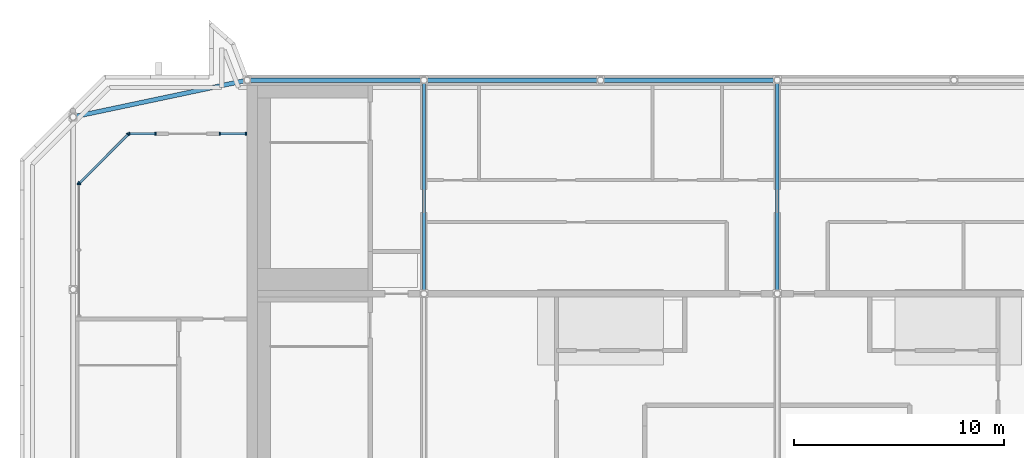
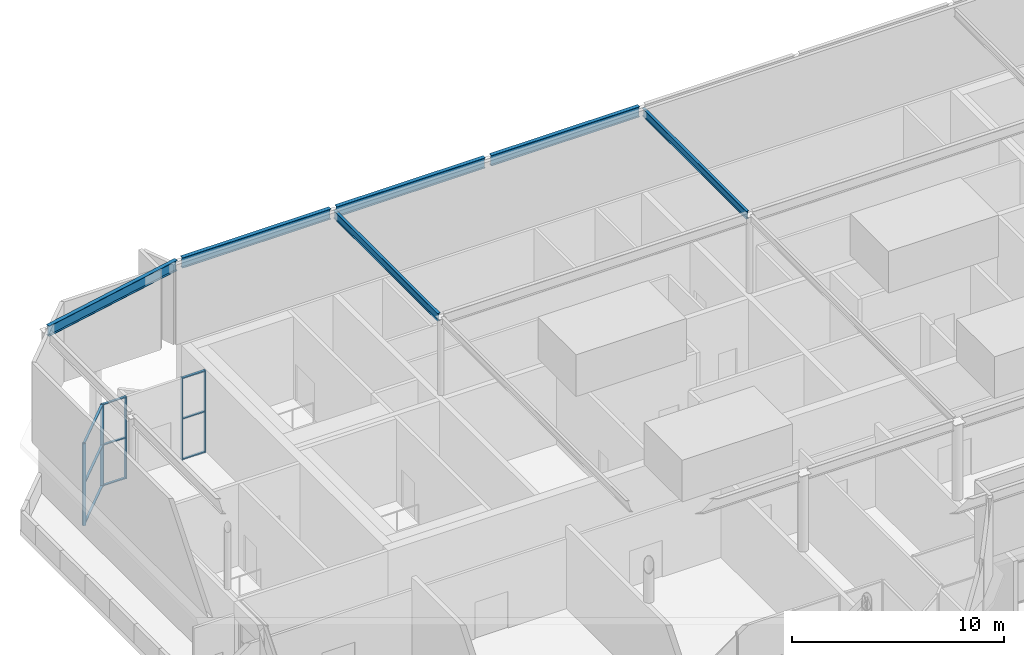
# One storey, part 12 of 25: 16 members, 6 beams, 4 elements without a shape of their own.
"""IFC4 building model written with IfcOpenShell, lengths in metres."""

from ifc_helpers import new_model, si_unit, direction, frame, origin, origin_2d, place, context, subcontext, project, spatial, rectangle, i_section, extrude, source, transform, mapped, material, material_profile, profile_set, type_object, element, aggregate, save


model = new_model("IFC4")

# Units and contexts
model_context = context("Model", 3, precision=1e-05, world=origin(), true_north=direction((0.0, 1.0)))
body_context = subcontext(model_context, "Body", "Model", "MODEL_VIEW")
ifc_project = project(units=[si_unit("LENGTHUNIT", "METRE"), si_unit("AREAUNIT", "SQUARE_METRE"), si_unit("VOLUMEUNIT", "CUBIC_METRE"), si_unit("PLANEANGLEUNIT", "RADIAN"), si_unit("MASSUNIT", "GRAM", prefix="KILO")], contexts=[model_context])

# Site, building, storey
site_placement = place(None, origin())
site = spatial("IfcSite", under=ifc_project, at=site_placement, CompositionType="ELEMENT")
building_placement = place(site_placement, origin())
building = spatial("IfcBuilding", under=site, at=building_placement, Name="Vanashikhar Sky Hotel", CompositionType="ELEMENT")
storey_placement = place(building_placement, frame((0.0, 0.0, 329.699951171875)))
storey = spatial("IfcBuildingStorey", under=building, at=storey_placement, Name="L78", CompositionType="ELEMENT", Elevation=329.699951171875)

# Beams
ifc_material_1 = material(Name="Steel S355", Category="steel")
ifc_material_profile_1 = material_profile(ifc_material_1, i_section(OverallWidth=0.2099609375, OverallDepth=0.60009765625, WebThickness=0.011962890625, FlangeThickness=0.020751953125, at=origin_2d()), Name="ISMB 600")
ifc_profile_set_1 = profile_set([ifc_material_profile_1], Name="Steel S355")
beam_type_1 = type_object("IfcBeamType", Name="ISMB 600 Steel S355", PredefinedType="BEAM", material=ifc_profile_set_1)
shared_shape_1 = source(origin(), body_context, "Body", "SweptSolid", [
    extrude(i_section(OverallWidth=0.2099609375, OverallDepth=0.60009765625, WebThickness=0.011962890625, FlangeThickness=0.020751953125, at=origin_2d()), origin(), (0.0, 0.0, 1.0), 8.075927734375),
])
for number, where, z_axis, x_axis, name in (
    (1, (25.362060546875, 41.75, 9.300048828125), (1.0, 0.0, 0.0), (0.0, 1.0, 0.0), "CR-L78-XR01"),
    (2, (33.761962890625, 41.75, 9.300048828125), (1.0, 0.0, 0.0), (0.0, 1.0, 0.0), "CR-L78-XR02"),
    (3, (42.162109375, 41.75, 9.300048828125), (1.0, 0.0, 0.0), (0.0, 1.0, 0.0), "CR-L78-XR03"),
):
    element("IfcBeam", number, at=place(storey_placement, frame(where, z_axis=z_axis, x_axis=x_axis)), inside=storey, type_object=beam_type_1, Name=name, PredefinedType="BEAM", context=body_context, shape_type="MappedRepresentation", body=[
        mapped(shared_shape_1, transform((0.0, 0.0, 0.0), scale=1.0)),
    ])
shared_shape_2 = source(origin(), body_context, "Body", "SweptSolid", [
    extrude(i_section(OverallWidth=0.2099609375, OverallDepth=0.60009765625, WebThickness=0.011962890625, FlangeThickness=0.020751953125, at=origin_2d()), origin(), (0.0, 0.0, 1.0), 8.134033203125),
])
beam_placement = place(storey_placement, frame((17.08349609375, 40.033447265625, 9.300048828125), z_axis=(0.97835764964, 0.206921022108, 0.0), x_axis=(-0.206921022108, 0.97835764964, 0.0)))
element("IfcBeam", 4, at=beam_placement, inside=storey, type_object=beam_type_1, Name="CR-L78-WR1", PredefinedType="BEAM", context=body_context, shape_type="MappedRepresentation", body=[
    mapped(shared_shape_2, transform((0.0, 0.0, 0.0), scale=1.0)),
])
ifc_material_profile_2 = material_profile(ifc_material_1, i_section(OverallWidth=0.14990234375, OverallDepth=0.449951171875, WebThickness=0.009521484375, FlangeThickness=0.017333984375, at=origin_2d()), Name="ISMB 450")
ifc_profile_set_2 = profile_set([ifc_material_profile_2], Name="Steel S355")
beam_type_2 = type_object("IfcBeamType", Name="ISMB 450 Steel S355", PredefinedType="BEAM", material=ifc_profile_set_2)
shared_shape_3 = source(origin(), body_context, "Body", "SweptSolid", [
    extrude(i_section(OverallWidth=0.14990234375, OverallDepth=0.449951171875, WebThickness=0.009521484375, FlangeThickness=0.017333984375, at=origin_2d()), origin(), (0.0, 0.0, 1.0), 9.825927734375),
])
for number, where, z_axis, x_axis, name in (
    (5, (33.60009765625, 31.761962890625, 9.300048828125), (0.0, 1.0, 0.0), (-1.0, 0.0, 0.0), "CR-L78-Y02"),
    (6, (50.39990234375, 31.761962890625, 9.300048828125), (0.0, 1.0, 0.0), (-1.0, 0.0, 0.0), "CR-L78-Y04"),
):
    element("IfcBeam", number, at=place(storey_placement, frame(where, z_axis=z_axis, x_axis=x_axis)), inside=storey, type_object=beam_type_2, Name=name, PredefinedType="BEAM", context=body_context, shape_type="MappedRepresentation", body=[
        mapped(shared_shape_3, transform((0.0, 0.0, 0.0), scale=1.0)),
    ])

# Curtain wall, members
ifc_material_2 = material(Name="Glass", Category="glass")
curtain_wall_type = type_object("IfcCurtainWallType", Name="Observation enclosure", PredefinedType="NOTDEFINED", material=ifc_material_2)
curtain_wall_1_placement = place(storey_placement, origin())
curtain_wall_1 = element("IfcCurtainWall", 7, at=curtain_wall_1_placement, inside=storey, type_object=curtain_wall_type, Name="Observation enclosure", PredefinedType="NOTDEFINED")
ifc_material_3 = material(Name="Aluminium 6063-T6", Category="aluminium")
ifc_material_profile_3 = material_profile(ifc_material_3, rectangle(XDim=0.159912109375, YDim=0.06005859375, at=origin_2d()))
ifc_profile_set_3 = profile_set([ifc_material_profile_3], Name="Aluminium 6063-T6")
member_type_1 = type_object("IfcMemberType", Name="Observation mullion 60 x 160", PredefinedType="MULLION", material=ifc_profile_set_3)
shared_shape_4 = source(origin(), body_context, "Body", "SweptSolid", [
    extrude(rectangle(XDim=0.159912109375, YDim=0.06005859375, at=origin_2d()), origin(), (0.0, 0.0, 1.0), 4.719970703125),
])
member_1_placement = place(storey_placement, frame((19.53857421875, 39.1787109375, 0.0), z_axis=(0.0, 0.0, 1.0), x_axis=(0.707106781187, -0.707106781187, 0.0)))
member_1 = element("IfcMember", 8, at=member_1_placement, type_object=member_type_1, Name="CW-6 mullion 1", PredefinedType="MULLION", context=body_context, shape_type="MappedRepresentation", body=[
    mapped(shared_shape_4, transform((0.0, 0.0, 0.0), scale=1.0)),
])
member_2_placement = place(storey_placement, frame((17.22119140625, 36.861328125, 0.0), z_axis=(0.0, 0.0, 1.0), x_axis=(0.707106781187, -0.707106781187, 0.0)))
member_2 = element("IfcMember", 9, at=member_2_placement, type_object=member_type_1, Name="CW-6 mullion 2", PredefinedType="MULLION", context=body_context, shape_type="MappedRepresentation", body=[
    mapped(shared_shape_4, transform((0.0, 0.0, 0.0), scale=1.0)),
])

# Curtain wall, member
curtain_wall_2_placement = place(storey_placement, origin())
curtain_wall_2 = element("IfcCurtainWall", 10, at=curtain_wall_2_placement, inside=storey, type_object=curtain_wall_type, Name="Observation enclosure", PredefinedType="NOTDEFINED")
member_3_placement = place(storey_placement, frame((17.199951171875, 36.810302734375, 0.0), z_axis=(0.0, 0.0, 1.0), x_axis=(1.0, 0.0, 0.0)))
member_3 = element("IfcMember", 11, at=member_3_placement, type_object=member_type_1, Name="CW-6 mullion 1", PredefinedType="MULLION", context=body_context, shape_type="MappedRepresentation", body=[
    mapped(shared_shape_4, transform((0.0, 0.0, 0.0), scale=1.0)),
])
aggregate(curtain_wall_2, [member_3])

# Curtain wall, members
curtain_wall_3_placement = place(storey_placement, origin())
curtain_wall_3 = element("IfcCurtainWall", 12, at=curtain_wall_3_placement, inside=storey, type_object=curtain_wall_type, Name="Observation enclosure", PredefinedType="NOTDEFINED")
member_4_placement = place(storey_placement, frame((25.14990234375, 39.199951171875, 0.0), z_axis=(0.0, 0.0, 1.0), x_axis=(0.0, -1.0, 0.0)))
member_4 = element("IfcMember", 13, at=member_4_placement, type_object=member_type_1, Name="CW-6 mullion 1", PredefinedType="MULLION", context=body_context, shape_type="MappedRepresentation", body=[
    mapped(shared_shape_4, transform((0.0, 0.0, 0.0), scale=1.0)),
])
member_5_placement = place(storey_placement, frame((23.89990234375, 39.199951171875, 0.0), z_axis=(0.0, 0.0, 1.0), x_axis=(0.0, -1.0, 0.0)))
member_5 = element("IfcMember", 14, at=member_5_placement, type_object=member_type_1, Name="CW-6 mullion 2", PredefinedType="MULLION", context=body_context, shape_type="MappedRepresentation", body=[
    mapped(shared_shape_4, transform((0.0, 0.0, 0.0), scale=1.0)),
])

curtain_wall_4_placement = place(storey_placement, origin())
curtain_wall_4 = element("IfcCurtainWall", 15, at=curtain_wall_4_placement, inside=storey, type_object=curtain_wall_type, Name="Observation enclosure", PredefinedType="NOTDEFINED")
member_6_placement = place(storey_placement, frame((20.83984375, 39.199951171875, 0.0), z_axis=(0.0, 0.0, 1.0), x_axis=(0.0, -1.0, 0.0)))
member_6 = element("IfcMember", 16, at=member_6_placement, type_object=member_type_1, Name="CW-6 mullion 1", PredefinedType="MULLION", context=body_context, shape_type="MappedRepresentation", body=[
    mapped(shared_shape_4, transform((0.0, 0.0, 0.0), scale=1.0)),
])
member_7_placement = place(storey_placement, frame((19.58984375, 39.199951171875, 0.0), z_axis=(0.0, 0.0, 1.0), x_axis=(0.0, -1.0, 0.0)))
member_7 = element("IfcMember", 17, at=member_7_placement, type_object=member_type_1, Name="CW-6 mullion 2", PredefinedType="MULLION", context=body_context, shape_type="MappedRepresentation", body=[
    mapped(shared_shape_4, transform((0.0, 0.0, 0.0), scale=1.0)),
])

# Member
ifc_material_profile_4 = material_profile(ifc_material_3, rectangle(XDim=0.1201171875, YDim=0.06005859375, at=origin_2d()))
ifc_profile_set_4 = profile_set([ifc_material_profile_4], Name="Aluminium 6063-T6")
member_type_2 = type_object("IfcMemberType", Name="Observation transom 60 x 120", PredefinedType="USERDEFINED", material=ifc_profile_set_4)
shared_shape_5 = source(origin(), body_context, "Body", "SweptSolid", [
    extrude(rectangle(XDim=0.1201171875, YDim=0.06005859375, at=origin_2d()), origin(), (0.0, 0.0, 1.0), 3.21728515625),
])
member_8_placement = place(storey_placement, frame((19.517333984375, 39.157470703125, 0.030029296875), z_axis=(-0.707106781187, -0.707106781187, 0.0), x_axis=(0.707106781187, -0.707106781187, 0.0)))
member_8 = element("IfcMember", 18, at=member_8_placement, type_object=member_type_2, Name="CW-6 transom 1.1", ObjectType="TRANSOM", PredefinedType="USERDEFINED", context=body_context, shape_type="MappedRepresentation", body=[
    mapped(shared_shape_5, transform((0.0, 0.0, 0.0), scale=1.0)),
])

member_9_placement = place(storey_placement, frame((19.517333984375, 39.157470703125, 2.360107421875), z_axis=(-0.707106781187, -0.707106781187, 0.0), x_axis=(0.707106781187, -0.707106781187, 0.0)))
member_9 = element("IfcMember", 19, at=member_9_placement, type_object=member_type_2, Name="CW-6 transom 1.2", ObjectType="TRANSOM", PredefinedType="USERDEFINED", context=body_context, shape_type="MappedRepresentation", body=[
    mapped(shared_shape_5, transform((0.0, 0.0, 0.0), scale=1.0)),
])

member_10_placement = place(storey_placement, frame((19.517333984375, 39.157470703125, 4.68994140625), z_axis=(-0.707106781187, -0.707106781187, 0.0), x_axis=(0.707106781187, -0.707106781187, 0.0)))
member_10 = element("IfcMember", 20, at=member_10_placement, type_object=member_type_2, Name="CW-6 transom 1.3", ObjectType="TRANSOM", PredefinedType="USERDEFINED", context=body_context, shape_type="MappedRepresentation", body=[
    mapped(shared_shape_5, transform((0.0, 0.0, 0.0), scale=1.0)),
])

aggregate(curtain_wall_1, [member_1, member_2, member_8, member_9, member_10])

shared_shape_6 = source(origin(), body_context, "Body", "SweptSolid", [
    extrude(rectangle(XDim=0.1201171875, YDim=0.06005859375, at=origin_2d()), origin(), (0.0, 0.0, 1.0), 1.190185546875),
])
member_11_placement = place(storey_placement, frame((25.1201171875, 39.199951171875, 0.030029296875), z_axis=(-1.0, 0.0, 0.0), x_axis=(0.0, -1.0, 0.0)))
member_11 = element("IfcMember", 21, at=member_11_placement, type_object=member_type_2, Name="CW-6 transom 1.1", ObjectType="TRANSOM", PredefinedType="USERDEFINED", context=body_context, shape_type="MappedRepresentation", body=[
    mapped(shared_shape_6, transform((0.0, 0.0, 0.0), scale=1.0)),
])

member_12_placement = place(storey_placement, frame((25.1201171875, 39.199951171875, 2.360107421875), z_axis=(-1.0, 0.0, 0.0), x_axis=(0.0, -1.0, 0.0)))
member_12 = element("IfcMember", 22, at=member_12_placement, type_object=member_type_2, Name="CW-6 transom 1.2", ObjectType="TRANSOM", PredefinedType="USERDEFINED", context=body_context, shape_type="MappedRepresentation", body=[
    mapped(shared_shape_6, transform((0.0, 0.0, 0.0), scale=1.0)),
])

member_13_placement = place(storey_placement, frame((25.1201171875, 39.199951171875, 4.68994140625), z_axis=(-1.0, 0.0, 0.0), x_axis=(0.0, -1.0, 0.0)))
member_13 = element("IfcMember", 23, at=member_13_placement, type_object=member_type_2, Name="CW-6 transom 1.3", ObjectType="TRANSOM", PredefinedType="USERDEFINED", context=body_context, shape_type="MappedRepresentation", body=[
    mapped(shared_shape_6, transform((0.0, 0.0, 0.0), scale=1.0)),
])

aggregate(curtain_wall_3, [member_4, member_5, member_11, member_12, member_13])

shared_shape_7 = source(origin(), body_context, "Body", "SweptSolid", [
    extrude(rectangle(XDim=0.1201171875, YDim=0.06005859375, at=origin_2d()), origin(), (0.0, 0.0, 1.0), 1.18994140625),
])
member_14_placement = place(storey_placement, frame((20.809814453125, 39.199951171875, 0.030029296875), z_axis=(-1.0, 0.0, 0.0), x_axis=(0.0, -1.0, 0.0)))
member_14 = element("IfcMember", 24, at=member_14_placement, type_object=member_type_2, Name="CW-6 transom 1.1", ObjectType="TRANSOM", PredefinedType="USERDEFINED", context=body_context, shape_type="MappedRepresentation", body=[
    mapped(shared_shape_7, transform((0.0, 0.0, 0.0), scale=1.0)),
])

member_15_placement = place(storey_placement, frame((20.809814453125, 39.199951171875, 2.360107421875), z_axis=(-1.0, 0.0, 0.0), x_axis=(0.0, -1.0, 0.0)))
member_15 = element("IfcMember", 25, at=member_15_placement, type_object=member_type_2, Name="CW-6 transom 1.2", ObjectType="TRANSOM", PredefinedType="USERDEFINED", context=body_context, shape_type="MappedRepresentation", body=[
    mapped(shared_shape_7, transform((0.0, 0.0, 0.0), scale=1.0)),
])

member_16_placement = place(storey_placement, frame((20.809814453125, 39.199951171875, 4.68994140625), z_axis=(-1.0, 0.0, 0.0), x_axis=(0.0, -1.0, 0.0)))
member_16 = element("IfcMember", 26, at=member_16_placement, type_object=member_type_2, Name="CW-6 transom 1.3", ObjectType="TRANSOM", PredefinedType="USERDEFINED", context=body_context, shape_type="MappedRepresentation", body=[
    mapped(shared_shape_7, transform((0.0, 0.0, 0.0), scale=1.0)),
])

aggregate(curtain_wall_4, [member_6, member_7, member_14, member_15, member_16])

save(model, "model.ifc")
